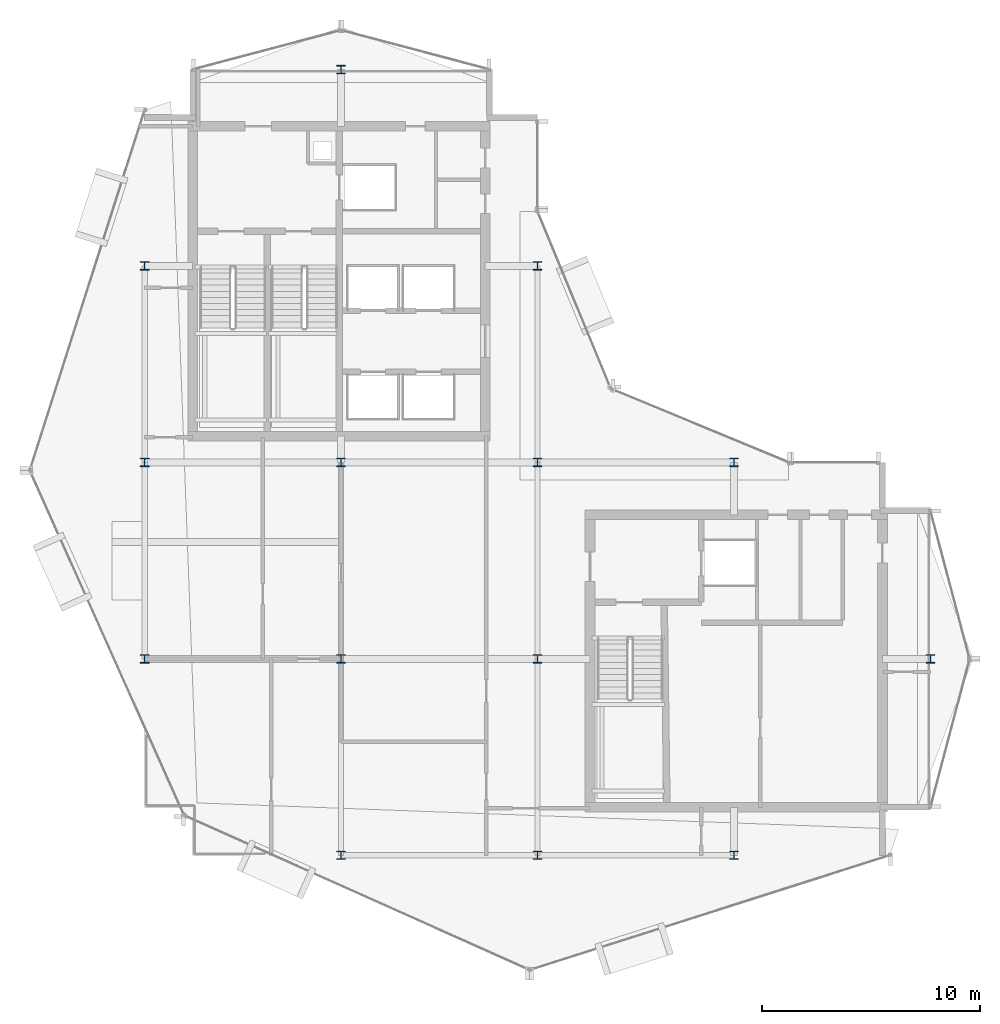
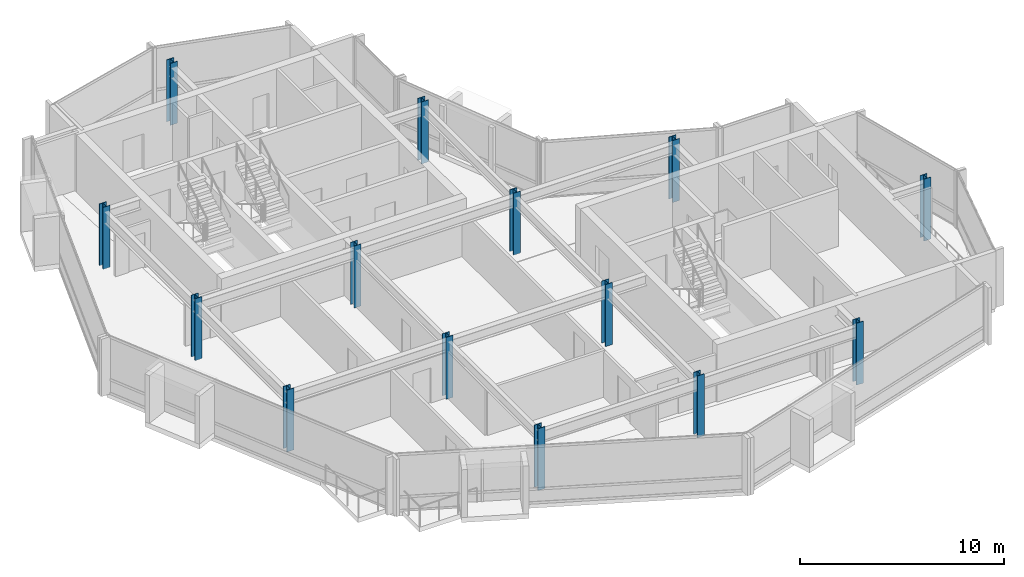
# One storey, part 1 of 19: 14 columns.
"""IFC4 building model written with IfcOpenShell, lengths in metres."""

from ifc_helpers import new_model, si_unit, direction, frame, origin, origin_2d, place, context, subcontext, project, spatial, i_section, extrude, material, material_profile, profile_set, type_object, element, save


model = new_model("IFC4")

# Units and contexts
model_context = context("Model", 3, precision=1e-05, world=origin(), true_north=direction((0.0, 1.0)))
body_context = subcontext(model_context, "Body", "Model", "MODEL_VIEW")
ifc_project = project(units=[si_unit("LENGTHUNIT", "METRE"), si_unit("AREAUNIT", "SQUARE_METRE"), si_unit("VOLUMEUNIT", "CUBIC_METRE"), si_unit("PLANEANGLEUNIT", "RADIAN"), si_unit("MASSUNIT", "GRAM", prefix="KILO")], contexts=[model_context])

# Site, building, storey
site_placement = place(None, origin())
site = spatial("IfcSite", under=ifc_project, at=site_placement, CompositionType="ELEMENT")
building_placement = place(site_placement, origin())
building = spatial("IfcBuilding", under=site, at=building_placement, Name="Solvaryn Broadcast Tower", CompositionType="ELEMENT")
storey_placement = place(building_placement, frame((0.0, 0.0, 248.199951171875)))
storey = spatial("IfcBuildingStorey", under=building, at=storey_placement, Name="L62", CompositionType="ELEMENT", Elevation=248.199951171875)

# Columns
ifc_material_1 = material(Name="Steel ASTM A913 Grade 65", Category="steel")
ifc_material_profile_1 = material_profile(ifc_material_1, i_section(OverallWidth=0.39697265625, OverallDepth=0.386962890625, WebThickness=0.02099609375, FlangeThickness=0.033203125, FilletRadius=0.014892578125, at=origin_2d()))
ifc_profile_set_1 = profile_set([ifc_material_profile_1], Name="Steel ASTM A913 Grade 65")
column_type_1 = type_object("IfcColumnType", Name="COL-C09E-W14X176", PredefinedType="COLUMN", material=ifc_profile_set_1)
for number, where, z_axis, x_axis, name in (
    (1, (9.0, 18.0, 0.0), (0.0, 0.0, 1.0), (1.0, 0.0, 0.0), "L62 Column (9.0, 18.0)"),
    (2, (9.0, 27.0, 0.0), (0.0, 0.0, 1.0), (1.0, 0.0, 0.0), "L62 Column (9.0, 27.0)"),
    (3, (9.0, 36.0, 0.0), (0.0, 0.0, 1.0), (1.0, 0.0, 0.0), "L62 Column (9.0, 36.0)"),
    (4, (18.0, 9.0, 0.0), (0.0, 0.0, 1.0), (1.0, 0.0, 0.0), "L62 Column (18.0, 9.0)"),
    (5, (18.0, 45.0, 0.0), (0.0, 0.0, 1.0), (1.0, 0.0, 0.0), "L62 Column (18.0, 45.0)"),
    (6, (27.0, 9.0, 0.0), (0.0, 0.0, 1.0), (1.0, 0.0, 0.0), "L62 Column (27.0, 9.0)"),
    (7, (27.0, 36.0, 0.0), (0.0, 0.0, 1.0), (1.0, 0.0, 0.0), "L62 Column (27.0, 36.0)"),
    (8, (36.0, 9.0, 0.0), (0.0, 0.0, 1.0), (1.0, 0.0, 0.0), "L62 Column (36.0, 9.0)"),
    (9, (36.0, 27.0, 0.0), (0.0, 0.0, 1.0), (1.0, 0.0, 0.0), "L62 Column (36.0, 27.0)"),
    (10, (45.0, 18.0, 0.0), (0.0, 0.0, 1.0), (1.0, 0.0, 0.0), "L62 Column (45.0, 18.0)"),
):
    element("IfcColumn", number, at=place(storey_placement, frame(where, z_axis=z_axis, x_axis=x_axis)), inside=storey, type_object=column_type_1, Name=name, PredefinedType="COLUMN", context=body_context, shape_type="SweptSolid", body=[
        extrude(i_section(OverallWidth=0.39697265625, OverallDepth=0.386962890625, WebThickness=0.02099609375, FlangeThickness=0.033203125, FilletRadius=0.014892578125, at=origin_2d()), origin(), (0.0, 0.0, 1.0), 3.699951171875),
    ])
ifc_material_2 = material(Name="Steel ASTM A913 Grade 65", Category="steel")
ifc_material_profile_2 = material_profile(ifc_material_2, i_section(OverallWidth=0.39697265625, OverallDepth=0.386962890625, WebThickness=0.02099609375, FlangeThickness=0.033203125, FilletRadius=0.014892578125, at=origin_2d()))
ifc_profile_set_2 = profile_set([ifc_material_profile_2], Name="Steel ASTM A913 Grade 65")
column_type_2 = type_object("IfcColumnType", Name="COL-C09I-W14X176", PredefinedType="COLUMN", material=ifc_profile_set_2)
for number, where, z_axis, x_axis, name in (
    (11, (18.0, 18.0, 0.0), (0.0, 0.0, 1.0), (1.0, 0.0, 0.0), "L62 Column (18.0, 18.0)"),
    (12, (18.0, 27.0, 0.0), (0.0, 0.0, 1.0), (1.0, 0.0, 0.0), "L62 Column (18.0, 27.0)"),
    (13, (27.0, 18.0, 0.0), (0.0, 0.0, 1.0), (1.0, 0.0, 0.0), "L62 Column (27.0, 18.0)"),
    (14, (27.0, 27.0, 0.0), (0.0, 0.0, 1.0), (1.0, 0.0, 0.0), "L62 Column (27.0, 27.0)"),
):
    element("IfcColumn", number, at=place(storey_placement, frame(where, z_axis=z_axis, x_axis=x_axis)), inside=storey, type_object=column_type_2, Name=name, PredefinedType="COLUMN", context=body_context, shape_type="SweptSolid", body=[
        extrude(i_section(OverallWidth=0.39697265625, OverallDepth=0.386962890625, WebThickness=0.02099609375, FlangeThickness=0.033203125, FilletRadius=0.014892578125, at=origin_2d()), origin(), (0.0, 0.0, 1.0), 3.699951171875),
    ])

save(model, "model.ifc")
